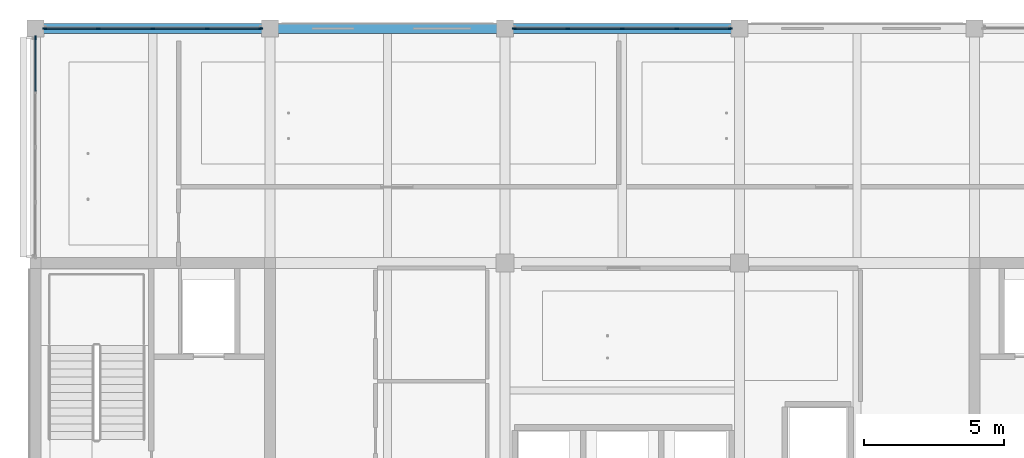
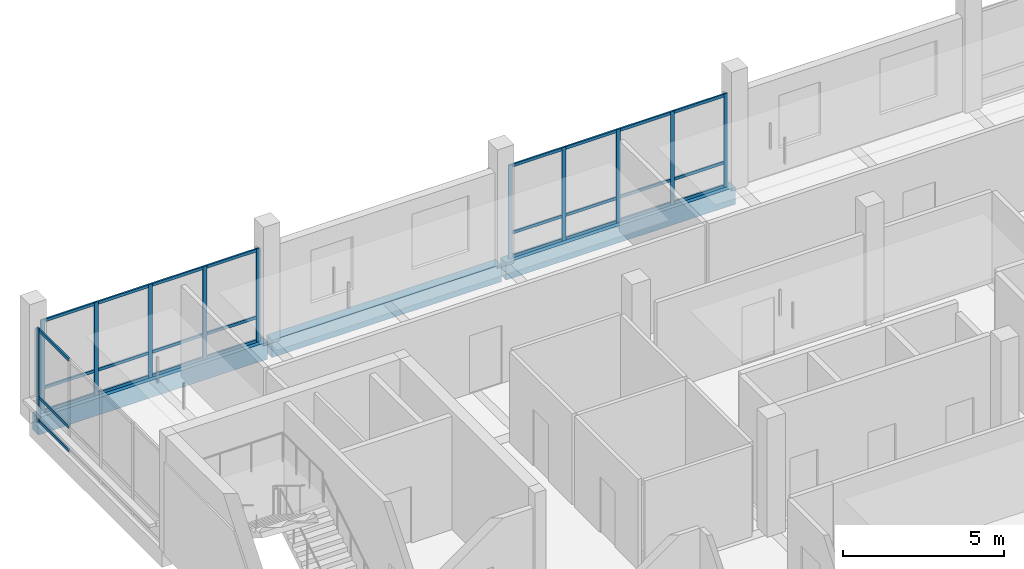
# One storey, part 8 of 30: 38 members, 3 beams, 3 elements without a shape of their own.
"""IFC4 building model written with IfcOpenShell, lengths in metres."""

from ifc_helpers import new_model, si_unit, direction, frame, origin, origin_2d, place, context, subcontext, project, spatial, rectangle, extrude, material, layer, layer_set, material_profile, profile_set, type_object, element, aggregate, save


model = new_model("IFC4")

# Units and contexts
model_context = context("Model", 3, precision=1e-05, world=origin(), true_north=direction((0.0, 1.0)))
body_context = subcontext(model_context, "Body", "Model", "MODEL_VIEW")
ifc_project = project(units=[si_unit("LENGTHUNIT", "METRE"), si_unit("AREAUNIT", "SQUARE_METRE"), si_unit("VOLUMEUNIT", "CUBIC_METRE"), si_unit("PLANEANGLEUNIT", "RADIAN"), si_unit("MASSUNIT", "GRAM", prefix="KILO")], contexts=[model_context])

# Site, building, storey
site_placement = place(None, origin())
site = spatial("IfcSite", under=ifc_project, at=site_placement, CompositionType="ELEMENT")
building_placement = place(site_placement, origin())
building = spatial("IfcBuilding", under=site, at=building_placement, Name="Telukmera Botanical Conservatory", CompositionType="ELEMENT")
storey_placement = place(building_placement, frame((0.0, 0.0, 60.0)))
storey = spatial("IfcBuildingStorey", under=building, at=storey_placement, Name="L13", CompositionType="ELEMENT", Elevation=60.0)

# Beams
ifc_material_1 = material(Name="Precast concrete C40/50", Category="concrete")
ifc_material_profile_1 = material_profile(ifc_material_1, rectangle(XDim=0.35009765625, YDim=0.64990234375, at=origin_2d()), Name="PC 350x650")
ifc_profile_set_1 = profile_set([ifc_material_profile_1], Name="Precast concrete C40/50")
beam_type = type_object("IfcBeamType", Name="Beam_SP3", PredefinedType="SPANDREL", material=ifc_profile_set_1)
beam_placement = place(storey_placement, frame((58.8798828125, 42.800048828125, -0.324951171875), z_axis=(1.0, 0.0, 0.0), x_axis=(0.0, 1.0, 0.0)))
element("IfcBeam", 1, at=beam_placement, inside=storey, type_object=beam_type, Name="Tower Grid Beam L13", PredefinedType="SPANDREL", context=body_context, shape_type="SweptSolid", body=[
    extrude(rectangle(XDim=0.35009765625, YDim=0.64990234375, at=origin_2d()), origin(), (0.0, 0.0, 1.0), 8.240234375),
])
for number, where, z_axis, x_axis, name in (
    (2, (67.280029296875, 42.800048828125, -0.324951171875), (1.0, 0.0, 0.0), (0.0, 1.0, 0.0), "Tower Grid Beam L13"),
    (3, (75.679931640625, 42.800048828125, -0.324951171875), (1.0, 0.0, 0.0), (0.0, 1.0, 0.0), "Tower Grid Beam L13"),
):
    element("IfcBeam", number, at=place(storey_placement, frame(where, z_axis=z_axis, x_axis=x_axis)), inside=storey, type_object=beam_type, Name=name, PredefinedType="SPANDREL", context=body_context, shape_type="SweptSolid", body=[
        extrude(rectangle(XDim=0.35009765625, YDim=0.64990234375, at=origin_2d()), origin(), (0.0, 0.0, 1.0), 8.239990234375),
    ])

# Curtain wall, members
ifc_material_2 = material(Name="Anodised aluminium 6063-T6", Category="aluminium")
ifc_layer = layer(ifc_material_2, 0.179931640625)
ifc_layer_set = layer_set([ifc_layer], Name="Anodised aluminium 6063-T6")
curtain_wall_type = type_object("IfcCurtainWallType", Name="Tower Research Laboratory Unitised Curtain Wall", PredefinedType="USERDEFINED", material=ifc_layer_set)
curtain_wall_1_placement = place(storey_placement, origin())
curtain_wall_1 = element("IfcCurtainWall", 4, at=curtain_wall_1_placement, inside=storey, type_object=curtain_wall_type, Name="Unitised Curtain Wall CW15 V4:L13:N1", ObjectType="UNITISED CURTAIN WALL", PredefinedType="USERDEFINED")
ifc_material_profile_2 = material_profile(ifc_material_2, rectangle(XDim=0.06005859375, YDim=0.139892578125, at=origin_2d()), Name="ALU MULL 60x140")
ifc_profile_set_2 = profile_set([ifc_material_profile_2], Name="Anodised aluminium 6063-T6")
member_type_1 = type_object("IfcMemberType", Name="Curtain Wall Extruded Mullion 60x140", PredefinedType="MULLION", material=ifc_profile_set_2)
member_1_placement = place(storey_placement, frame((59.132080078125, 42.800048828125, 0.0), z_axis=(0.0, 0.0, 1.0), x_axis=(0.0, 1.0, 0.0)))
member_1 = element("IfcMember", 5, at=member_1_placement, type_object=member_type_1, Name="CW15 mullion 1", PredefinedType="MULLION", context=body_context, shape_type="SweptSolid", body=[
    extrude(rectangle(XDim=0.06005859375, YDim=0.139892578125, at=origin_2d()), origin(), (0.0, 0.0, 1.0), 3.550048828125),
])
member_2_placement = place(storey_placement, frame((61.051025390625, 42.800048828125, 0.0), z_axis=(0.0, 0.0, 1.0), x_axis=(0.0, 1.0, 0.0)))
member_2 = element("IfcMember", 6, at=member_2_placement, type_object=member_type_1, Name="CW15 mullion 2", PredefinedType="MULLION", context=body_context, shape_type="SweptSolid", body=[
    extrude(rectangle(XDim=0.06005859375, YDim=0.139892578125, at=origin_2d()), origin(), (0.0, 0.0, 1.0), 3.550048828125),
])
member_3_placement = place(storey_placement, frame((63.0, 42.800048828125, 0.0), z_axis=(0.0, 0.0, 1.0), x_axis=(0.0, 1.0, 0.0)))
member_3 = element("IfcMember", 7, at=member_3_placement, type_object=member_type_1, Name="CW15 mullion 3", PredefinedType="MULLION", context=body_context, shape_type="SweptSolid", body=[
    extrude(rectangle(XDim=0.06005859375, YDim=0.139892578125, at=origin_2d()), origin(), (0.0, 0.0, 1.0), 3.550048828125),
])
member_4_placement = place(storey_placement, frame((64.948974609375, 42.800048828125, 0.0), z_axis=(0.0, 0.0, 1.0), x_axis=(0.0, 1.0, 0.0)))
member_4 = element("IfcMember", 8, at=member_4_placement, type_object=member_type_1, Name="CW15 mullion 4", PredefinedType="MULLION", context=body_context, shape_type="SweptSolid", body=[
    extrude(rectangle(XDim=0.06005859375, YDim=0.139892578125, at=origin_2d()), origin(), (0.0, 0.0, 1.0), 3.550048828125),
])
member_5_placement = place(storey_placement, frame((66.867919921875, 42.800048828125, 0.0), z_axis=(0.0, 0.0, 1.0), x_axis=(0.0, 1.0, 0.0)))
member_5 = element("IfcMember", 9, at=member_5_placement, type_object=member_type_1, Name="CW15 mullion 5", PredefinedType="MULLION", context=body_context, shape_type="SweptSolid", body=[
    extrude(rectangle(XDim=0.06005859375, YDim=0.139892578125, at=origin_2d()), origin(), (0.0, 0.0, 1.0), 3.550048828125),
])

curtain_wall_2_placement = place(storey_placement, origin())
curtain_wall_2 = element("IfcCurtainWall", 10, at=curtain_wall_2_placement, inside=storey, type_object=curtain_wall_type, Name="Unitised Curtain Wall CW15 V4:L13:N3", ObjectType="UNITISED CURTAIN WALL", PredefinedType="USERDEFINED")
member_6_placement = place(storey_placement, frame((75.931884765625, 42.800048828125, 0.0), z_axis=(0.0, 0.0, 1.0), x_axis=(0.0, 1.0, 0.0)))
member_6 = element("IfcMember", 11, at=member_6_placement, type_object=member_type_1, Name="CW15 mullion 1", PredefinedType="MULLION", context=body_context, shape_type="SweptSolid", body=[
    extrude(rectangle(XDim=0.06005859375, YDim=0.139892578125, at=origin_2d()), origin(), (0.0, 0.0, 1.0), 3.550048828125),
])
member_7_placement = place(storey_placement, frame((77.85107421875, 42.800048828125, 0.0), z_axis=(0.0, 0.0, 1.0), x_axis=(0.0, 1.0, 0.0)))
member_7 = element("IfcMember", 12, at=member_7_placement, type_object=member_type_1, Name="CW15 mullion 2", PredefinedType="MULLION", context=body_context, shape_type="SweptSolid", body=[
    extrude(rectangle(XDim=0.06005859375, YDim=0.139892578125, at=origin_2d()), origin(), (0.0, 0.0, 1.0), 3.550048828125),
])
member_8_placement = place(storey_placement, frame((79.800048828125, 42.800048828125, 0.0), z_axis=(0.0, 0.0, 1.0), x_axis=(0.0, 1.0, 0.0)))
member_8 = element("IfcMember", 13, at=member_8_placement, type_object=member_type_1, Name="CW15 mullion 3", PredefinedType="MULLION", context=body_context, shape_type="SweptSolid", body=[
    extrude(rectangle(XDim=0.06005859375, YDim=0.139892578125, at=origin_2d()), origin(), (0.0, 0.0, 1.0), 3.550048828125),
])
member_9_placement = place(storey_placement, frame((81.7490234375, 42.800048828125, 0.0), z_axis=(0.0, 0.0, 1.0), x_axis=(0.0, 1.0, 0.0)))
member_9 = element("IfcMember", 14, at=member_9_placement, type_object=member_type_1, Name="CW15 mullion 4", PredefinedType="MULLION", context=body_context, shape_type="SweptSolid", body=[
    extrude(rectangle(XDim=0.06005859375, YDim=0.139892578125, at=origin_2d()), origin(), (0.0, 0.0, 1.0), 3.550048828125),
])
member_10_placement = place(storey_placement, frame((83.66796875, 42.800048828125, 0.0), z_axis=(0.0, 0.0, 1.0), x_axis=(0.0, 1.0, 0.0)))
member_10 = element("IfcMember", 15, at=member_10_placement, type_object=member_type_1, Name="CW15 mullion 5", PredefinedType="MULLION", context=body_context, shape_type="SweptSolid", body=[
    extrude(rectangle(XDim=0.06005859375, YDim=0.139892578125, at=origin_2d()), origin(), (0.0, 0.0, 1.0), 3.550048828125),
])

# Curtain wall, member
curtain_wall_3_placement = place(storey_placement, origin())
curtain_wall_3 = element("IfcCurtainWall", 16, at=curtain_wall_3_placement, inside=storey, type_object=curtain_wall_type, Name="Unitised Curtain Wall CW15 V4:L13:W4", ObjectType="UNITISED CURTAIN WALL", PredefinedType="USERDEFINED")
member_11_placement = place(storey_placement, frame((58.800048828125, 42.468017578125, 0.0), z_axis=(0.0, 0.0, 1.0), x_axis=(-1.0, 0.0, 0.0)))
member_11 = element("IfcMember", 17, at=member_11_placement, type_object=member_type_1, Name="CW15 mullion 5", PredefinedType="MULLION", context=body_context, shape_type="SweptSolid", body=[
    extrude(rectangle(XDim=0.06005859375, YDim=0.139892578125, at=origin_2d()), origin(), (0.0, 0.0, 1.0), 3.550048828125),
])

# Member
ifc_material_profile_3 = material_profile(ifc_material_2, rectangle(XDim=0.06005859375, YDim=0.110107421875, at=origin_2d()), Name="ALU TRAN 60x110")
ifc_profile_set_3 = profile_set([ifc_material_profile_3], Name="Anodised aluminium 6063-T6")
member_type_2 = type_object("IfcMemberType", Name="Curtain Wall Extruded Transom 60x110", PredefinedType="USERDEFINED", material=ifc_profile_set_3)
member_12_placement = place(storey_placement, frame((59.162109375, 42.800048828125, 0.054931640625), z_axis=(1.0, 0.0, 0.0), x_axis=(0.0, 1.0, 0.0)))
member_12 = element("IfcMember", 18, at=member_12_placement, type_object=member_type_2, Name="CW15 transom 1.1", ObjectType="TRANSOM", PredefinedType="USERDEFINED", context=body_context, shape_type="SweptSolid", body=[
    extrude(rectangle(XDim=0.06005859375, YDim=0.110107421875, at=origin_2d()), origin(), (0.0, 0.0, 1.0), 1.85888671875),
])

member_13_placement = place(storey_placement, frame((59.162109375, 42.800048828125, 0.949951171875), z_axis=(1.0, 0.0, 0.0), x_axis=(0.0, 1.0, 0.0)))
member_13 = element("IfcMember", 19, at=member_13_placement, type_object=member_type_2, Name="CW15 transom 1.2", ObjectType="TRANSOM", PredefinedType="USERDEFINED", context=body_context, shape_type="SweptSolid", body=[
    extrude(rectangle(XDim=0.06005859375, YDim=0.110107421875, at=origin_2d()), origin(), (0.0, 0.0, 1.0), 1.85888671875),
])

member_14_placement = place(storey_placement, frame((59.162109375, 42.800048828125, 3.4951171875), z_axis=(1.0, 0.0, 0.0), x_axis=(0.0, 1.0, 0.0)))
member_14 = element("IfcMember", 20, at=member_14_placement, type_object=member_type_2, Name="CW15 transom 1.3", ObjectType="TRANSOM", PredefinedType="USERDEFINED", context=body_context, shape_type="SweptSolid", body=[
    extrude(rectangle(XDim=0.06005859375, YDim=0.110107421875, at=origin_2d()), origin(), (0.0, 0.0, 1.0), 1.85888671875),
])

member_15_placement = place(storey_placement, frame((61.0810546875, 42.800048828125, 0.054931640625), z_axis=(1.0, 0.0, 0.0), x_axis=(0.0, 1.0, 0.0)))
member_15 = element("IfcMember", 21, at=member_15_placement, type_object=member_type_2, Name="CW15 transom 2.1", ObjectType="TRANSOM", PredefinedType="USERDEFINED", context=body_context, shape_type="SweptSolid", body=[
    extrude(rectangle(XDim=0.06005859375, YDim=0.110107421875, at=origin_2d()), origin(), (0.0, 0.0, 1.0), 1.888916015625),
])

member_16_placement = place(storey_placement, frame((61.0810546875, 42.800048828125, 0.949951171875), z_axis=(1.0, 0.0, 0.0), x_axis=(0.0, 1.0, 0.0)))
member_16 = element("IfcMember", 22, at=member_16_placement, type_object=member_type_2, Name="CW15 transom 2.2", ObjectType="TRANSOM", PredefinedType="USERDEFINED", context=body_context, shape_type="SweptSolid", body=[
    extrude(rectangle(XDim=0.06005859375, YDim=0.110107421875, at=origin_2d()), origin(), (0.0, 0.0, 1.0), 1.888916015625),
])

member_17_placement = place(storey_placement, frame((61.0810546875, 42.800048828125, 3.4951171875), z_axis=(1.0, 0.0, 0.0), x_axis=(0.0, 1.0, 0.0)))
member_17 = element("IfcMember", 23, at=member_17_placement, type_object=member_type_2, Name="CW15 transom 2.3", ObjectType="TRANSOM", PredefinedType="USERDEFINED", context=body_context, shape_type="SweptSolid", body=[
    extrude(rectangle(XDim=0.06005859375, YDim=0.110107421875, at=origin_2d()), origin(), (0.0, 0.0, 1.0), 1.888916015625),
])

member_18_placement = place(storey_placement, frame((63.030029296875, 42.800048828125, 0.054931640625), z_axis=(1.0, 0.0, 0.0), x_axis=(0.0, 1.0, 0.0)))
member_18 = element("IfcMember", 24, at=member_18_placement, type_object=member_type_2, Name="CW15 transom 3.1", ObjectType="TRANSOM", PredefinedType="USERDEFINED", context=body_context, shape_type="SweptSolid", body=[
    extrude(rectangle(XDim=0.06005859375, YDim=0.110107421875, at=origin_2d()), origin(), (0.0, 0.0, 1.0), 1.888916015625),
])

member_19_placement = place(storey_placement, frame((63.030029296875, 42.800048828125, 0.949951171875), z_axis=(1.0, 0.0, 0.0), x_axis=(0.0, 1.0, 0.0)))
member_19 = element("IfcMember", 25, at=member_19_placement, type_object=member_type_2, Name="CW15 transom 3.2", ObjectType="TRANSOM", PredefinedType="USERDEFINED", context=body_context, shape_type="SweptSolid", body=[
    extrude(rectangle(XDim=0.06005859375, YDim=0.110107421875, at=origin_2d()), origin(), (0.0, 0.0, 1.0), 1.888916015625),
])

member_20_placement = place(storey_placement, frame((63.030029296875, 42.800048828125, 3.4951171875), z_axis=(1.0, 0.0, 0.0), x_axis=(0.0, 1.0, 0.0)))
member_20 = element("IfcMember", 26, at=member_20_placement, type_object=member_type_2, Name="CW15 transom 3.3", ObjectType="TRANSOM", PredefinedType="USERDEFINED", context=body_context, shape_type="SweptSolid", body=[
    extrude(rectangle(XDim=0.06005859375, YDim=0.110107421875, at=origin_2d()), origin(), (0.0, 0.0, 1.0), 1.888916015625),
])

member_21_placement = place(storey_placement, frame((64.97900390625, 42.800048828125, 0.054931640625), z_axis=(1.0, 0.0, 0.0), x_axis=(0.0, 1.0, 0.0)))
member_21 = element("IfcMember", 27, at=member_21_placement, type_object=member_type_2, Name="CW15 transom 4.1", ObjectType="TRANSOM", PredefinedType="USERDEFINED", context=body_context, shape_type="SweptSolid", body=[
    extrude(rectangle(XDim=0.06005859375, YDim=0.110107421875, at=origin_2d()), origin(), (0.0, 0.0, 1.0), 1.85888671875),
])

member_22_placement = place(storey_placement, frame((64.97900390625, 42.800048828125, 0.949951171875), z_axis=(1.0, 0.0, 0.0), x_axis=(0.0, 1.0, 0.0)))
member_22 = element("IfcMember", 28, at=member_22_placement, type_object=member_type_2, Name="CW15 transom 4.2", ObjectType="TRANSOM", PredefinedType="USERDEFINED", context=body_context, shape_type="SweptSolid", body=[
    extrude(rectangle(XDim=0.06005859375, YDim=0.110107421875, at=origin_2d()), origin(), (0.0, 0.0, 1.0), 1.85888671875),
])

member_23_placement = place(storey_placement, frame((64.97900390625, 42.800048828125, 3.4951171875), z_axis=(1.0, 0.0, 0.0), x_axis=(0.0, 1.0, 0.0)))
member_23 = element("IfcMember", 29, at=member_23_placement, type_object=member_type_2, Name="CW15 transom 4.3", ObjectType="TRANSOM", PredefinedType="USERDEFINED", context=body_context, shape_type="SweptSolid", body=[
    extrude(rectangle(XDim=0.06005859375, YDim=0.110107421875, at=origin_2d()), origin(), (0.0, 0.0, 1.0), 1.85888671875),
])

aggregate(curtain_wall_1, [member_1, member_2, member_3, member_4, member_5, member_12, member_13, member_14, member_15, member_16, member_17, member_18, member_19, member_20, member_21, member_22, member_23])

member_24_placement = place(storey_placement, frame((75.9619140625, 42.800048828125, 0.054931640625), z_axis=(1.0, 0.0, 0.0), x_axis=(0.0, 1.0, 0.0)))
member_24 = element("IfcMember", 30, at=member_24_placement, type_object=member_type_2, Name="CW15 transom 1.1", ObjectType="TRANSOM", PredefinedType="USERDEFINED", context=body_context, shape_type="SweptSolid", body=[
    extrude(rectangle(XDim=0.06005859375, YDim=0.110107421875, at=origin_2d()), origin(), (0.0, 0.0, 1.0), 1.859130859375),
])

member_25_placement = place(storey_placement, frame((75.9619140625, 42.800048828125, 0.949951171875), z_axis=(1.0, 0.0, 0.0), x_axis=(0.0, 1.0, 0.0)))
member_25 = element("IfcMember", 31, at=member_25_placement, type_object=member_type_2, Name="CW15 transom 1.2", ObjectType="TRANSOM", PredefinedType="USERDEFINED", context=body_context, shape_type="SweptSolid", body=[
    extrude(rectangle(XDim=0.06005859375, YDim=0.110107421875, at=origin_2d()), origin(), (0.0, 0.0, 1.0), 1.859130859375),
])

member_26_placement = place(storey_placement, frame((75.9619140625, 42.800048828125, 3.4951171875), z_axis=(1.0, 0.0, 0.0), x_axis=(0.0, 1.0, 0.0)))
member_26 = element("IfcMember", 32, at=member_26_placement, type_object=member_type_2, Name="CW15 transom 1.3", ObjectType="TRANSOM", PredefinedType="USERDEFINED", context=body_context, shape_type="SweptSolid", body=[
    extrude(rectangle(XDim=0.06005859375, YDim=0.110107421875, at=origin_2d()), origin(), (0.0, 0.0, 1.0), 1.859130859375),
])

member_27_placement = place(storey_placement, frame((77.881103515625, 42.800048828125, 0.054931640625), z_axis=(1.0, 0.0, 0.0), x_axis=(0.0, 1.0, 0.0)))
member_27 = element("IfcMember", 33, at=member_27_placement, type_object=member_type_2, Name="CW15 transom 2.1", ObjectType="TRANSOM", PredefinedType="USERDEFINED", context=body_context, shape_type="SweptSolid", body=[
    extrude(rectangle(XDim=0.06005859375, YDim=0.110107421875, at=origin_2d()), origin(), (0.0, 0.0, 1.0), 1.888916015625),
])

member_28_placement = place(storey_placement, frame((77.881103515625, 42.800048828125, 0.949951171875), z_axis=(1.0, 0.0, 0.0), x_axis=(0.0, 1.0, 0.0)))
member_28 = element("IfcMember", 34, at=member_28_placement, type_object=member_type_2, Name="CW15 transom 2.2", ObjectType="TRANSOM", PredefinedType="USERDEFINED", context=body_context, shape_type="SweptSolid", body=[
    extrude(rectangle(XDim=0.06005859375, YDim=0.110107421875, at=origin_2d()), origin(), (0.0, 0.0, 1.0), 1.888916015625),
])

member_29_placement = place(storey_placement, frame((77.881103515625, 42.800048828125, 3.4951171875), z_axis=(1.0, 0.0, 0.0), x_axis=(0.0, 1.0, 0.0)))
member_29 = element("IfcMember", 35, at=member_29_placement, type_object=member_type_2, Name="CW15 transom 2.3", ObjectType="TRANSOM", PredefinedType="USERDEFINED", context=body_context, shape_type="SweptSolid", body=[
    extrude(rectangle(XDim=0.06005859375, YDim=0.110107421875, at=origin_2d()), origin(), (0.0, 0.0, 1.0), 1.888916015625),
])

member_30_placement = place(storey_placement, frame((79.830078125, 42.800048828125, 0.054931640625), z_axis=(1.0, 0.0, 0.0), x_axis=(0.0, 1.0, 0.0)))
member_30 = element("IfcMember", 36, at=member_30_placement, type_object=member_type_2, Name="CW15 transom 3.1", ObjectType="TRANSOM", PredefinedType="USERDEFINED", context=body_context, shape_type="SweptSolid", body=[
    extrude(rectangle(XDim=0.06005859375, YDim=0.110107421875, at=origin_2d()), origin(), (0.0, 0.0, 1.0), 1.888916015625),
])

member_31_placement = place(storey_placement, frame((79.830078125, 42.800048828125, 0.949951171875), z_axis=(1.0, 0.0, 0.0), x_axis=(0.0, 1.0, 0.0)))
member_31 = element("IfcMember", 37, at=member_31_placement, type_object=member_type_2, Name="CW15 transom 3.2", ObjectType="TRANSOM", PredefinedType="USERDEFINED", context=body_context, shape_type="SweptSolid", body=[
    extrude(rectangle(XDim=0.06005859375, YDim=0.110107421875, at=origin_2d()), origin(), (0.0, 0.0, 1.0), 1.888916015625),
])

member_32_placement = place(storey_placement, frame((79.830078125, 42.800048828125, 3.4951171875), z_axis=(1.0, 0.0, 0.0), x_axis=(0.0, 1.0, 0.0)))
member_32 = element("IfcMember", 38, at=member_32_placement, type_object=member_type_2, Name="CW15 transom 3.3", ObjectType="TRANSOM", PredefinedType="USERDEFINED", context=body_context, shape_type="SweptSolid", body=[
    extrude(rectangle(XDim=0.06005859375, YDim=0.110107421875, at=origin_2d()), origin(), (0.0, 0.0, 1.0), 1.888916015625),
])

member_33_placement = place(storey_placement, frame((81.779052734375, 42.800048828125, 0.054931640625), z_axis=(1.0, 0.0, 0.0), x_axis=(0.0, 1.0, 0.0)))
member_33 = element("IfcMember", 39, at=member_33_placement, type_object=member_type_2, Name="CW15 transom 4.1", ObjectType="TRANSOM", PredefinedType="USERDEFINED", context=body_context, shape_type="SweptSolid", body=[
    extrude(rectangle(XDim=0.06005859375, YDim=0.110107421875, at=origin_2d()), origin(), (0.0, 0.0, 1.0), 1.85888671875),
])

member_34_placement = place(storey_placement, frame((81.779052734375, 42.800048828125, 0.949951171875), z_axis=(1.0, 0.0, 0.0), x_axis=(0.0, 1.0, 0.0)))
member_34 = element("IfcMember", 40, at=member_34_placement, type_object=member_type_2, Name="CW15 transom 4.2", ObjectType="TRANSOM", PredefinedType="USERDEFINED", context=body_context, shape_type="SweptSolid", body=[
    extrude(rectangle(XDim=0.06005859375, YDim=0.110107421875, at=origin_2d()), origin(), (0.0, 0.0, 1.0), 1.85888671875),
])

member_35_placement = place(storey_placement, frame((81.779052734375, 42.800048828125, 3.4951171875), z_axis=(1.0, 0.0, 0.0), x_axis=(0.0, 1.0, 0.0)))
member_35 = element("IfcMember", 41, at=member_35_placement, type_object=member_type_2, Name="CW15 transom 4.3", ObjectType="TRANSOM", PredefinedType="USERDEFINED", context=body_context, shape_type="SweptSolid", body=[
    extrude(rectangle(XDim=0.06005859375, YDim=0.110107421875, at=origin_2d()), origin(), (0.0, 0.0, 1.0), 1.85888671875),
])

aggregate(curtain_wall_2, [member_6, member_7, member_8, member_9, member_10, member_24, member_25, member_26, member_27, member_28, member_29, member_30, member_31, member_32, member_33, member_34, member_35])

member_36_placement = place(storey_placement, frame((58.800048828125, 40.553955078125, 0.054931640625), z_axis=(0.0, 1.0, 0.0), x_axis=(-1.0, 0.0, 0.0)))
member_36 = element("IfcMember", 42, at=member_36_placement, type_object=member_type_2, Name="CW15 transom 4.1", ObjectType="TRANSOM", PredefinedType="USERDEFINED", context=body_context, shape_type="SweptSolid", body=[
    extrude(rectangle(XDim=0.06005859375, YDim=0.110107421875, at=origin_2d()), origin(), (0.0, 0.0, 1.0), 1.884033203125),
])

member_37_placement = place(storey_placement, frame((58.800048828125, 40.553955078125, 0.949951171875), z_axis=(0.0, 1.0, 0.0), x_axis=(-1.0, 0.0, 0.0)))
member_37 = element("IfcMember", 43, at=member_37_placement, type_object=member_type_2, Name="CW15 transom 4.2", ObjectType="TRANSOM", PredefinedType="USERDEFINED", context=body_context, shape_type="SweptSolid", body=[
    extrude(rectangle(XDim=0.06005859375, YDim=0.110107421875, at=origin_2d()), origin(), (0.0, 0.0, 1.0), 1.884033203125),
])

member_38_placement = place(storey_placement, frame((58.800048828125, 40.553955078125, 3.4951171875), z_axis=(0.0, 1.0, 0.0), x_axis=(-1.0, 0.0, 0.0)))
member_38 = element("IfcMember", 44, at=member_38_placement, type_object=member_type_2, Name="CW15 transom 4.3", ObjectType="TRANSOM", PredefinedType="USERDEFINED", context=body_context, shape_type="SweptSolid", body=[
    extrude(rectangle(XDim=0.06005859375, YDim=0.110107421875, at=origin_2d()), origin(), (0.0, 0.0, 1.0), 1.884033203125),
])

aggregate(curtain_wall_3, [member_11, member_36, member_37, member_38])

save(model, "model.ifc")
